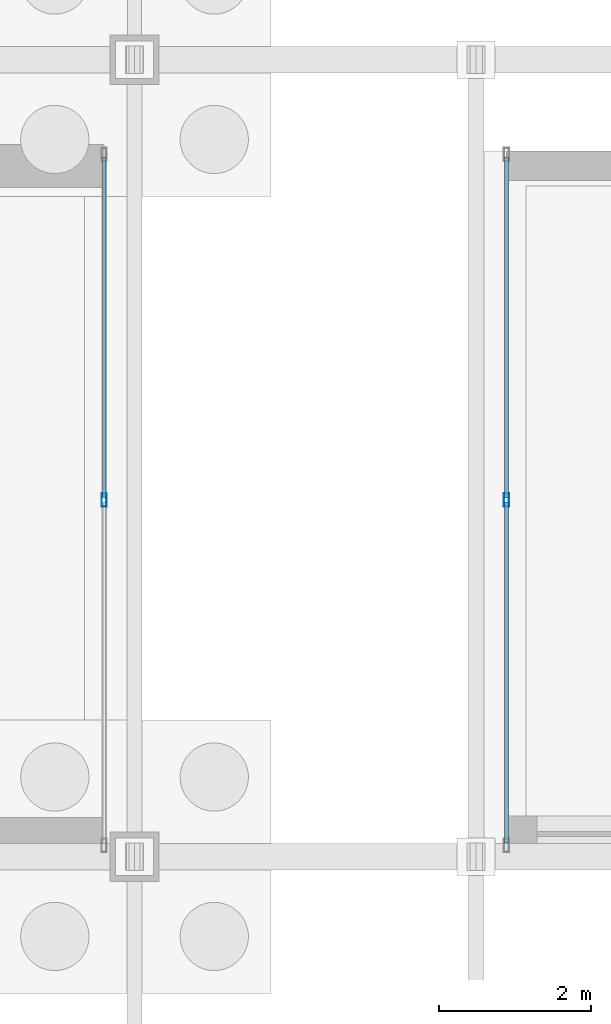
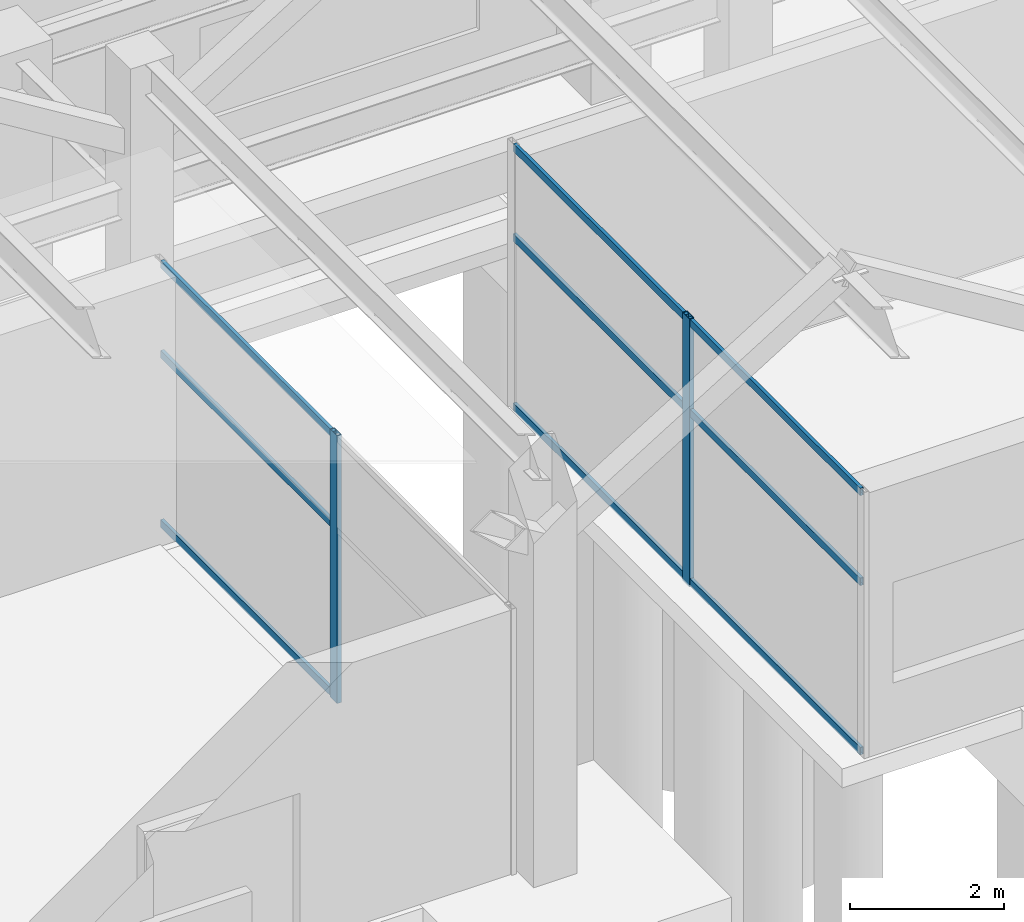
# One storey, part 48 of 160: 11 members, 2 elements without a shape of their own.
"""IFC4 building model written with IfcOpenShell, lengths in metres."""

import ifcopenshell
import ifcopenshell.guid

model = None  # the IFC model being written
_history = None  # IfcOwnerHistory: only IFC2X3 demands one
_inside = {}  # id of a spatial element -> (the spatial element, [elements in it])
_under = {}  # id of a project, library or spatial element -> (it, [spatial elements below it])
_declared = {}  # id of a project -> (the project, [libraries it declares])
_typed = {}  # id of a type object -> (the type object, [elements of that type])
_made_of = {}  # id of a material, layer set ... -> (it, [elements and type objects made of it])


def new_model(schema):
    """Start an empty IFC model of exactly this schema.

    Asked for "IFC4X3", IfcOpenShell would pick the latest addendum, in which some entities
    have other attributes; the version numbers below select the first issue.
    IFC2X3 requires an IfcOwnerHistory on every rooted entity: one is made here for all.
    """
    global model, _history
    if schema == "IFC4X3":
        model = ifcopenshell.file(schema_version=(4, 3, 0, 0))
    else:
        model = ifcopenshell.file(schema=schema)
    _inside.clear()
    _under.clear()
    _declared.clear()
    _typed.clear()
    _made_of.clear()
    _history = None
    if model.schema == "IFC2X3":
        org = make("IfcOrganization", Name="unknown")
        user = make(
            "IfcPersonAndOrganization",
            ThePerson=make("IfcPerson", FamilyName="unknown"),
            TheOrganization=org,
        )
        app = make(
            "IfcApplication",
            ApplicationDeveloper=org,
            Version="unknown",
            ApplicationFullName="unknown",
            ApplicationIdentifier="unknown",
        )
        _history = make(
            "IfcOwnerHistory",
            OwningUser=user,
            OwningApplication=app,
            ChangeAction="ADDED",
            CreationDate=0,
        )
    return model


def make(cls, **values):
    """One entity of the class cls with the attributes given. An attribute that is None is left unset."""
    return model.create_entity(
        cls, **{name: value for name, value in values.items() if value is not None}
    )


def rooted(cls, **values):
    """An entity with a GlobalId (a new one), such as an element, a storey or a relation."""
    return make(cls, GlobalId=ifcopenshell.guid.new(), OwnerHistory=_history, **values)


def si_unit(unit_type, name, prefix=None):
    """IfcSIUnit, for example si_unit("LENGTHUNIT", "METRE", prefix="MILLI")."""
    return make("IfcSIUnit", UnitType=unit_type, Prefix=prefix, Name=name)


def assignment(units):
    """IfcUnitAssignment: the units of a project."""
    return None if units is None else make("IfcUnitAssignment", Units=units)


def point(xyz):
    """IfcCartesianPoint."""
    return None if xyz is None else make("IfcCartesianPoint", Coordinates=xyz)


def direction(xyz):
    """IfcDirection."""
    return None if xyz is None else make("IfcDirection", DirectionRatios=xyz)


def frame(location, z_axis=None, x_axis=None):
    """IfcAxis2Placement3D, a coordinate frame: its origin and axes. An axis left out is left unset."""
    return make(
        "IfcAxis2Placement3D",
        Location=point(location),
        Axis=direction(z_axis),
        RefDirection=direction(x_axis),
    )


def frame_2d(location, x_axis=None):
    """IfcAxis2Placement2D, a coordinate frame in the plane: its origin and x axis."""
    return make(
        "IfcAxis2Placement2D", Location=point(location), RefDirection=direction(x_axis)
    )


def origin():
    """The frame at (0, 0, 0) with its axes left unset."""
    return frame((0.0, 0.0, 0.0))


def origin_2d():
    """The frame at (0, 0) in the plane with its x axis left unset."""
    return frame_2d((0.0, 0.0))


def place(relative_to, where):
    """IfcLocalPlacement: puts the frame where relative to a parent placement (None: the world)."""
    return make(
        "IfcLocalPlacement", PlacementRelTo=relative_to, RelativePlacement=where
    )


def context(
    kind, dimensions, precision=None, world=None, true_north=None, identifier=None
):
    """IfcGeometricRepresentationContext, for example the 3D "Model" context."""
    return make(
        "IfcGeometricRepresentationContext",
        ContextIdentifier=identifier,
        ContextType=kind,
        CoordinateSpaceDimension=dimensions,
        Precision=precision,
        WorldCoordinateSystem=world,
        TrueNorth=true_north,
    )


def subcontext(parent, identifier, kind, view, scale=None):
    """IfcGeometricRepresentationSubContext, for example "Body" below "Model"."""
    return make(
        "IfcGeometricRepresentationSubContext",
        ContextIdentifier=identifier,
        ContextType=kind,
        ParentContext=parent,
        TargetScale=scale,
        TargetView=view,
    )


def project(units=None, contexts=None):
    """IfcProject with its units and contexts."""
    return rooted(
        "IfcProject",
        Name="project",
        RepresentationContexts=contexts,
        UnitsInContext=assignment(units),
    )


def spatial(cls, under=None, at=None, **own):
    """A site, building, storey or space (cls), placed at a placement, below another one or the project."""
    s = rooted(cls, ObjectPlacement=at, **own)
    if under is not None:
        _under.setdefault(under.id(), (under, []))[1].append(s)
    return s


def profile(cls, at=None, kind="AREA", **sizes):
    """A parametric profile (cls). Its sizes go by their IFC names, for example OverallWidth=200.0."""
    return make(cls, ProfileType=kind, Position=at, **sizes)


def hollow_rectangle(**sizes):
    """IfcRectangleHollowProfileDef."""
    return profile("IfcRectangleHollowProfileDef", **sizes)


def extrude(swept, where, along, depth):
    """IfcExtrudedAreaSolid: the profile swept, set in the frame where, extruded along a direction by depth."""
    return make(
        "IfcExtrudedAreaSolid",
        SweptArea=swept,
        Position=where,
        ExtrudedDirection=direction(along),
        Depth=depth,
    )


def shape(context_of_items, identifier, shape_type, items):
    """IfcShapeRepresentation: the items that make up one representation, for example the "Body"."""
    return make(
        "IfcShapeRepresentation",
        ContextOfItems=context_of_items,
        RepresentationIdentifier=identifier,
        RepresentationType=shape_type,
        Items=items,
    )


def material(Name=None, Category=None):
    """IfcMaterial."""
    return make("IfcMaterial", Name=Name, Category=Category)


def layer(
    of_material, thickness, ventilated=None, Name=None, Category=None, Priority=None
):
    """IfcMaterialLayer: one layer of a wall or slab, of a material (None: an air gap)."""
    return make(
        "IfcMaterialLayer",
        Material=of_material,
        LayerThickness=thickness,
        IsVentilated=ventilated,
        Name=Name,
        Category=Category,
        Priority=Priority,
    )


def layer_set(layers, Name=None):
    """IfcMaterialLayerSet."""
    return make("IfcMaterialLayerSet", MaterialLayers=layers, LayerSetName=Name)


def material_profile(
    of_material, cross_section, Name=None, Category=None, Priority=None
):
    """IfcMaterialProfile: a cross section and its material."""
    return make(
        "IfcMaterialProfile",
        Name=Name,
        Material=of_material,
        Profile=cross_section,
        Priority=Priority,
        Category=Category,
    )


def profile_set(profiles, Name=None, composite=None):
    """IfcMaterialProfileSet."""
    return make(
        "IfcMaterialProfileSet",
        Name=Name,
        MaterialProfiles=profiles,
        CompositeProfile=composite,
    )


def made_of(thing, what):
    """Note that an element or type object is made of a material, layer set ...; save() writes the relation."""
    if what is not None:
        _made_of.setdefault(what.id(), (what, []))[1].append(thing)
    return thing


def type_object(cls, material=None, **own):
    """A type object (cls), such as IfcWallType, which elements share."""
    return made_of(rooted(cls, **own), material)


def element(
    cls,
    number,
    at=None,
    inside=None,
    cuts=None,
    type_object=None,
    material=None,
    context=None,
    identifier="Body",
    shape_type=None,
    held_by="IfcProductDefinitionShape",
    body=None,
    shapes=None,
    **own,
):
    """One element of the class cls, such as IfcWall. Its Tag is "e" and its number.

    at: its placement. inside: the storey or other place that contains it. cuts: it is an
    opening in that element (IfcRelVoidsElement). A single representation is given by context,
    identifier, shape_type and body (its items); several are given by shapes. held_by: the class
    of the entity that holds the representations. save() writes the other relations.
    """
    e = rooted(cls, Tag="e%d" % number, ObjectPlacement=at, **own)
    if body is not None:
        shapes = [shape(context, identifier, shape_type, body)]
    if shapes is not None:
        e.Representation = make(held_by, Representations=shapes)
    if inside is not None:
        _inside.setdefault(inside.id(), (inside, []))[1].append(e)
    if cuts is not None:
        rooted(
            "IfcRelVoidsElement", RelatingBuildingElement=cuts, RelatedOpeningElement=e
        )
    if type_object is not None:
        _typed.setdefault(type_object.id(), (type_object, []))[1].append(e)
    return made_of(e, material)


def aggregate(whole, parts):
    """IfcRelAggregates: a whole, such as a stair, and the parts it consists of."""
    return rooted("IfcRelAggregates", RelatingObject=whole, RelatedObjects=parts)


def save(model, path):
    """Write the relations noted so far, then the file.

    IfcRelAggregates (storeys below a building ...), IfcRelContainedInSpatialStructure (elements
    in a storey), IfcRelDefinesByType, IfcRelAssociatesMaterial and IfcRelDeclares: one each for
    every whole, place, type object, material and project.
    """
    for whole, parts in _under.values():
        aggregate(whole, parts)
    for where, things in _inside.values():
        rooted(
            "IfcRelContainedInSpatialStructure",
            RelatedElements=things,
            RelatingStructure=where,
        )
    for kind, things in _typed.values():
        rooted("IfcRelDefinesByType", RelatedObjects=things, RelatingType=kind)
    for what, things in _made_of.values():
        rooted("IfcRelAssociatesMaterial", RelatedObjects=things, RelatingMaterial=what)
    for by, libraries in _declared.values():
        rooted("IfcRelDeclares", RelatingContext=by, RelatedDefinitions=libraries)
    model.write(path)


model = new_model("IFC4")

# Units and contexts
model_context = context("Model", 3, precision=1e-05, world=origin(), true_north=direction((0.0, 1.0)))
body_context = subcontext(model_context, "Body", "Model", "MODEL_VIEW")
ifc_project = project(units=[si_unit("LENGTHUNIT", "METRE"), si_unit("AREAUNIT", "SQUARE_METRE"), si_unit("VOLUMEUNIT", "CUBIC_METRE"), si_unit("PLANEANGLEUNIT", "RADIAN"), si_unit("MASSUNIT", "GRAM", prefix="KILO")], contexts=[model_context])

# Site, building, storey
site_placement = place(None, origin())
site = spatial("IfcSite", under=ifc_project, at=site_placement, CompositionType="ELEMENT")
building_placement = place(site_placement, origin())
building = spatial("IfcBuilding", under=site, at=building_placement, Name="Marlcrest Central Station", CompositionType="ELEMENT")
storey_placement = place(building_placement, origin())
storey = spatial("IfcBuildingStorey", under=building, at=storey_placement, Name="L00", CompositionType="ELEMENT", Elevation=0.0)

# Curtain wall, member
ifc_material_1 = material(Name="Anodised aluminium and hurricane laminated glass", Category="aluminium")
ifc_layer = layer(ifc_material_1, 0.179931640625, Name="CW-S1")
ifc_layer_set = layer_set([ifc_layer], Name="Anodised aluminium and hurricane laminated glass")
curtain_wall_type = type_object("IfcCurtainWallType", Name="CW-S1", PredefinedType="USERDEFINED", material=ifc_layer_set)
curtain_wall_1_placement = place(storey_placement, origin())
curtain_wall_1 = element("IfcCurtainWall", 1, at=curtain_wall_1_placement, inside=storey, type_object=curtain_wall_type, Name="cw-L00-0144", ObjectType="STICK_CURTAIN_WALL", PredefinedType="USERDEFINED")
ifc_material_2 = material(Name="Anodised aluminium 6063-T6", Category="aluminium")
ifc_material_profile_1 = material_profile(ifc_material_2, hollow_rectangle(XDim=0.070068359375, YDim=0.179931640625, WallThickness=0.0048828125, at=origin_2d()), Name="AA-RHS 180x70x5")
ifc_profile_set_1 = profile_set([ifc_material_profile_1], Name="Anodised aluminium 6063-T6")
member_type_1 = type_object("IfcMemberType", Name="ML-02", PredefinedType="MULLION", material=ifc_profile_set_1)
member_1_placement = place(storey_placement, frame((17.60009765625, 27.199951171875, -0.030029296875), z_axis=(0.0, 0.0, 1.0), x_axis=(1.0, 0.0, 0.0)))
member_1 = element("IfcMember", 2, at=member_1_placement, type_object=member_type_1, Name="cw-L00-0144-ml-1", PredefinedType="MULLION", context=body_context, shape_type="SweptSolid", body=[
    extrude(hollow_rectangle(XDim=0.070068359375, YDim=0.179931640625, WallThickness=0.0048828125, at=origin_2d()), origin(), (0.0, 0.0, 1.0), 4.260009765625),
])

curtain_wall_2_placement = place(storey_placement, origin())
curtain_wall_2 = element("IfcCurtainWall", 3, at=curtain_wall_2_placement, inside=storey, type_object=curtain_wall_type, Name="cw-L00-0145", ObjectType="STICK_CURTAIN_WALL", PredefinedType="USERDEFINED")
member_2_placement = place(storey_placement, frame((22.89990234375, 27.199951171875, -0.030029296875), z_axis=(0.0, 0.0, 1.0), x_axis=(1.0, 0.0, 0.0)))
member_2 = element("IfcMember", 4, at=member_2_placement, type_object=member_type_1, Name="cw-L00-0145-ml-1", PredefinedType="MULLION", context=body_context, shape_type="SweptSolid", body=[
    extrude(hollow_rectangle(XDim=0.070068359375, YDim=0.179931640625, WallThickness=0.0048828125, at=origin_2d()), origin(), (0.0, 0.0, 1.0), 4.260009765625),
])

# Member
ifc_material_profile_2 = material_profile(ifc_material_2, hollow_rectangle(XDim=0.050048828125, YDim=0.1201171875, WallThickness=0.00390625, at=origin_2d()), Name="AA-RHS 120x50x4")
ifc_profile_set_2 = profile_set([ifc_material_profile_2], Name="Anodised aluminium 6063-T6")
member_type_2 = type_object("IfcMemberType", Name="TR-02", PredefinedType="USERDEFINED", material=ifc_profile_set_2)
member_3_placement = place(storey_placement, frame((17.60009765625, 31.717041015625, 0.0400390625), z_axis=(0.0, -1.0, 0.0), x_axis=(1.0, 0.0, 0.0)))
member_3 = element("IfcMember", 5, at=member_3_placement, type_object=member_type_2, Name="cw-L00-0144-tr-0-sill", ObjectType="TRANSOM", PredefinedType="USERDEFINED", context=body_context, shape_type="SweptSolid", body=[
    extrude(hollow_rectangle(XDim=0.050048828125, YDim=0.1201171875, WallThickness=0.00390625, at=origin_2d()), origin(), (0.0, 0.0, 1.0), 4.484130859375),
])

member_4_placement = place(storey_placement, frame((17.60009765625, 31.717041015625, 2.72998046875), z_axis=(0.0, -1.0, 0.0), x_axis=(1.0, 0.0, 0.0)))
member_4 = element("IfcMember", 6, at=member_4_placement, type_object=member_type_2, Name="cw-L00-0144-tr-0-mid", ObjectType="TRANSOM", PredefinedType="USERDEFINED", context=body_context, shape_type="SweptSolid", body=[
    extrude(hollow_rectangle(XDim=0.050048828125, YDim=0.1201171875, WallThickness=0.00390625, at=origin_2d()), origin(), (0.0, 0.0, 1.0), 4.484130859375),
])

member_5_placement = place(storey_placement, frame((17.60009765625, 31.717041015625, 4.159912109375), z_axis=(0.0, -1.0, 0.0), x_axis=(1.0, 0.0, 0.0)))
member_5 = element("IfcMember", 7, at=member_5_placement, type_object=member_type_2, Name="cw-L00-0144-tr-0-head", ObjectType="TRANSOM", PredefinedType="USERDEFINED", context=body_context, shape_type="SweptSolid", body=[
    extrude(hollow_rectangle(XDim=0.050048828125, YDim=0.1201171875, WallThickness=0.00390625, at=origin_2d()), origin(), (0.0, 0.0, 1.0), 4.484130859375),
])

aggregate(curtain_wall_1, [member_1, member_3, member_4, member_5])

member_6_placement = place(storey_placement, frame((22.89990234375, 22.68310546875, 0.0400390625), z_axis=(0.0, 1.0, 0.0), x_axis=(-1.0, 0.0, 0.0)))
member_6 = element("IfcMember", 8, at=member_6_placement, type_object=member_type_2, Name="cw-L00-0145-tr-0-sill", ObjectType="TRANSOM", PredefinedType="USERDEFINED", context=body_context, shape_type="SweptSolid", body=[
    extrude(hollow_rectangle(XDim=0.050048828125, YDim=0.1201171875, WallThickness=0.00390625, at=origin_2d()), origin(), (0.0, 0.0, 1.0), 4.48388671875),
])

member_7_placement = place(storey_placement, frame((22.89990234375, 22.68310546875, 2.72998046875), z_axis=(0.0, 1.0, 0.0), x_axis=(-1.0, 0.0, 0.0)))
member_7 = element("IfcMember", 9, at=member_7_placement, type_object=member_type_2, Name="cw-L00-0145-tr-0-mid", ObjectType="TRANSOM", PredefinedType="USERDEFINED", context=body_context, shape_type="SweptSolid", body=[
    extrude(hollow_rectangle(XDim=0.050048828125, YDim=0.1201171875, WallThickness=0.00390625, at=origin_2d()), origin(), (0.0, 0.0, 1.0), 4.48388671875),
])

member_8_placement = place(storey_placement, frame((22.89990234375, 22.68310546875, 4.159912109375), z_axis=(0.0, 1.0, 0.0), x_axis=(-1.0, 0.0, 0.0)))
member_8 = element("IfcMember", 10, at=member_8_placement, type_object=member_type_2, Name="cw-L00-0145-tr-0-head", ObjectType="TRANSOM", PredefinedType="USERDEFINED", context=body_context, shape_type="SweptSolid", body=[
    extrude(hollow_rectangle(XDim=0.050048828125, YDim=0.1201171875, WallThickness=0.00390625, at=origin_2d()), origin(), (0.0, 0.0, 1.0), 4.48388671875),
])

member_9_placement = place(storey_placement, frame((22.89990234375, 27.23291015625, 0.0400390625), z_axis=(0.0, 1.0, 0.0), x_axis=(-1.0, 0.0, 0.0)))
member_9 = element("IfcMember", 11, at=member_9_placement, type_object=member_type_2, Name="cw-L00-0145-tr-1-sill", ObjectType="TRANSOM", PredefinedType="USERDEFINED", context=body_context, shape_type="SweptSolid", body=[
    extrude(hollow_rectangle(XDim=0.050048828125, YDim=0.1201171875, WallThickness=0.00390625, at=origin_2d()), origin(), (0.0, 0.0, 1.0), 4.484130859375),
])

member_10_placement = place(storey_placement, frame((22.89990234375, 27.23291015625, 2.72998046875), z_axis=(0.0, 1.0, 0.0), x_axis=(-1.0, 0.0, 0.0)))
member_10 = element("IfcMember", 12, at=member_10_placement, type_object=member_type_2, Name="cw-L00-0145-tr-1-mid", ObjectType="TRANSOM", PredefinedType="USERDEFINED", context=body_context, shape_type="SweptSolid", body=[
    extrude(hollow_rectangle(XDim=0.050048828125, YDim=0.1201171875, WallThickness=0.00390625, at=origin_2d()), origin(), (0.0, 0.0, 1.0), 4.484130859375),
])

member_11_placement = place(storey_placement, frame((22.89990234375, 27.23291015625, 4.159912109375), z_axis=(0.0, 1.0, 0.0), x_axis=(-1.0, 0.0, 0.0)))
member_11 = element("IfcMember", 13, at=member_11_placement, type_object=member_type_2, Name="cw-L00-0145-tr-1-head", ObjectType="TRANSOM", PredefinedType="USERDEFINED", context=body_context, shape_type="SweptSolid", body=[
    extrude(hollow_rectangle(XDim=0.050048828125, YDim=0.1201171875, WallThickness=0.00390625, at=origin_2d()), origin(), (0.0, 0.0, 1.0), 4.484130859375),
])

aggregate(curtain_wall_2, [member_2, member_6, member_7, member_8, member_9, member_10, member_11])

save(model, "model.ifc")
